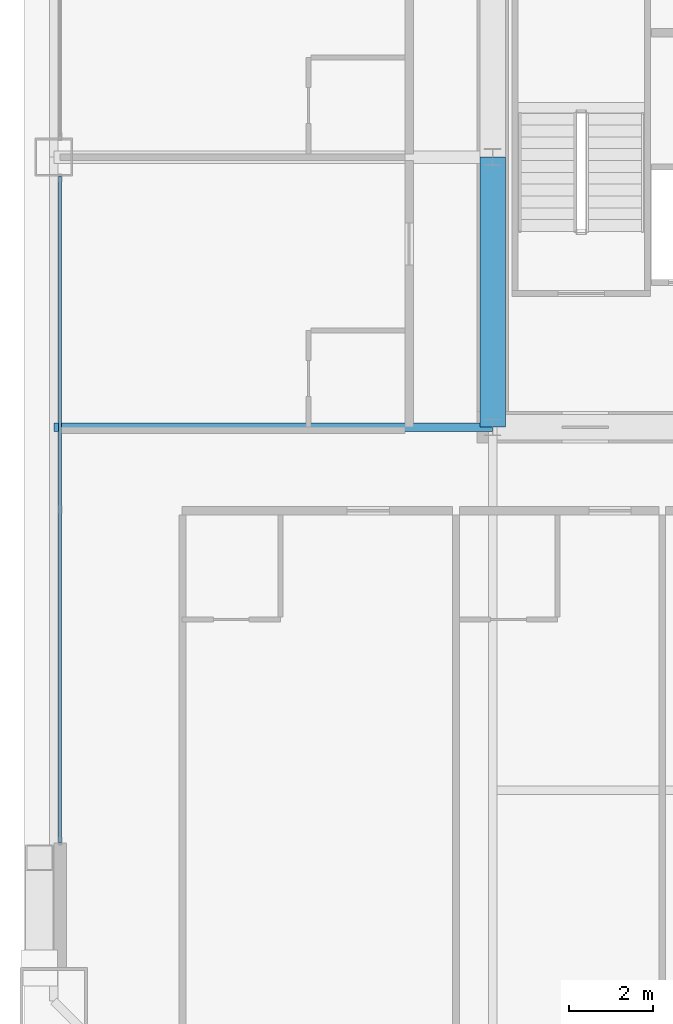
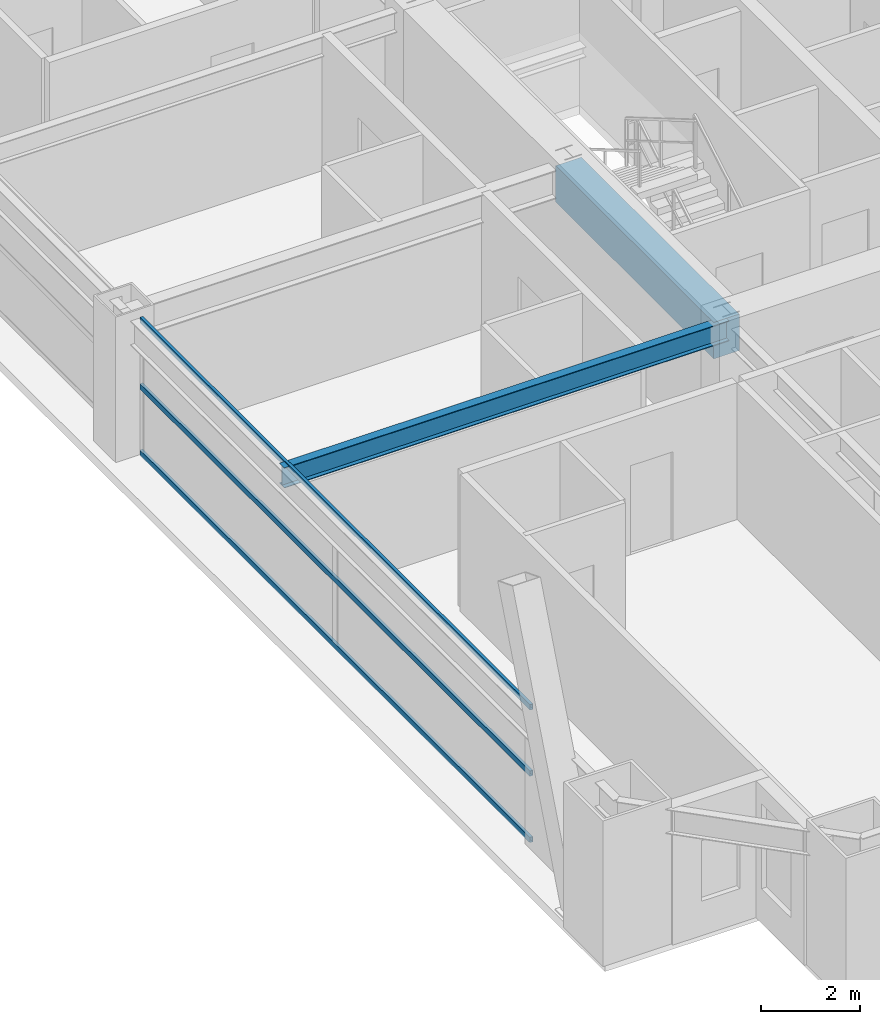
# One storey, part 11 of 43: 3 members, 2 beams, 1 element without a shape of its own.
"""IFC4 building model written with IfcOpenShell, lengths in metres."""

from ifc_helpers import new_model, si_unit, direction, frame, origin, origin_2d, place, context, subcontext, project, spatial, rectangle, hollow_rectangle, i_section, extrude, source, transform, mapped, material, layer, layer_set, material_profile, profile_set, type_object, element, aggregate, save


model = new_model("IFC4")

# Units and contexts
model_context = context("Model", 3, precision=1e-05, world=origin(), true_north=direction((0.0, 1.0)))
body_context = subcontext(model_context, "Body", "Model", "MODEL_VIEW")
ifc_project = project(units=[si_unit("LENGTHUNIT", "METRE"), si_unit("AREAUNIT", "SQUARE_METRE"), si_unit("VOLUMEUNIT", "CUBIC_METRE"), si_unit("PLANEANGLEUNIT", "RADIAN"), si_unit("MASSUNIT", "GRAM", prefix="KILO"), si_unit("THERMODYNAMICTEMPERATUREUNIT", "KELVIN"), si_unit("POWERUNIT", "WATT")], contexts=[model_context])

# Site, building, storey
site_placement = place(None, origin())
site = spatial("IfcSite", under=ifc_project, at=site_placement, CompositionType="ELEMENT")
building_placement = place(site_placement, origin())
building = spatial("IfcBuilding", under=site, at=building_placement, Name="Yuzanri Waterfront Tower", CompositionType="ELEMENT")
storey_placement = place(building_placement, frame((0.0, 0.0, 159.60009765625)))
storey = spatial("IfcBuildingStorey", under=building, at=storey_placement, Name="L42", CompositionType="ELEMENT", Elevation=159.60009765625)

# Beams
ifc_material_1 = material(Name="Concrete C60", Category="concrete")
ifc_material_profile_1 = material_profile(ifc_material_1, rectangle(XDim=0.60009765625, YDim=0.89990234375, at=origin_2d()), Name="RC 600x900")
ifc_profile_set_1 = profile_set([ifc_material_profile_1], Name="Concrete C60")
beam_type_1 = type_object("IfcBeamType", Name="Core Coupling Lintel Concrete C60 600x900", PredefinedType="LINTEL", material=ifc_profile_set_1)
shared_shape_1 = source(origin(), body_context, "Body", "SweptSolid", [
    extrude(rectangle(XDim=0.60009765625, YDim=0.89990234375, at=origin_2d()), origin(), (0.0, 0.0, 1.0), 6.400146484375),
])
beam_1_placement = place(storey_placement, frame((23.800048828125, 19.39990234375, 2.929931640625), z_axis=(0.0, 1.0, 0.0), x_axis=(-1.0, 0.0, 0.0)))
element("IfcBeam", 1, at=beam_1_placement, inside=storey, type_object=beam_type_1, Name="L42 Core Tie Beam CW1", PredefinedType="LINTEL", context=body_context, shape_type="MappedRepresentation", body=[
    mapped(shared_shape_1, transform((0.0, 0.0, 0.0), scale=1.0)),
])
ifc_material_2 = material(Name="Steel Q355B", Category="steel")
ifc_material_profile_2 = material_profile(ifc_material_2, i_section(OverallWidth=0.199951171875, OverallDepth=0.5, WebThickness=0.010009765625, FlangeThickness=0.01611328125, at=origin_2d()), Name="HN 500x200x10x16")
ifc_profile_set_2 = profile_set([ifc_material_profile_2], Name="Steel Q355B")
beam_type_2 = type_object("IfcBeamType", Name="Secondary Floor Beam Q355B HN 500x200", PredefinedType="BEAM", material=ifc_profile_set_2)
shared_shape_2 = source(origin(), body_context, "Body", "SweptSolid", [
    extrude(i_section(OverallWidth=0.199951171875, OverallDepth=0.5, WebThickness=0.010009765625, FlangeThickness=0.01611328125, at=origin_2d()), origin(), (0.0, 0.0, 1.0), 10.400146484375),
])
beam_2_placement = place(storey_placement, frame((23.800048828125, 19.39990234375, 3.1298828125), z_axis=(-1.0, 0.0, 0.0), x_axis=(0.0, -1.0, 0.0)))
element("IfcBeam", 2, at=beam_2_placement, inside=storey, type_object=beam_type_2, Name="L42 West-South Core Line Beam", PredefinedType="BEAM", context=body_context, shape_type="MappedRepresentation", body=[
    mapped(shared_shape_2, transform((0.0, 0.0, 0.0), scale=1.0)),
])

# Curtain wall, members
ifc_material_3 = material(Name="Anodized Architectural Bronze", Category="metal")
ifc_layer = layer(ifc_material_3, 0.159912109375)
ifc_layer_set = layer_set([ifc_layer], Name="Anodized Architectural Bronze")
curtain_wall_type = type_object("IfcCurtainWallType", Name="Anodized Bronze Hotel Upper-Tier Solar-Control Unitized Curtain Wall 7800", PredefinedType="NOTDEFINED", material=ifc_layer_set)
curtain_wall_placement = place(storey_placement, origin())
curtain_wall = element("IfcCurtainWall", 3, at=curtain_wall_placement, inside=storey, type_object=curtain_wall_type, Name="L42 Curtain Wall CW-L42-WL", PredefinedType="NOTDEFINED")
ifc_material_4 = material(Name="Anodized Architectural Bronze", Category="metal")
ifc_material_profile_3 = material_profile(ifc_material_4, hollow_rectangle(XDim=0.070068359375, YDim=0.135009765625, WallThickness=0.00341796875, at=origin_2d()), Name="CWT 70x135")
ifc_profile_set_3 = profile_set([ifc_material_profile_3], Name="Anodized Architectural Bronze")
member_type = type_object("IfcMemberType", Name="Anodized Bronze Standard Curtain-Wall Transom 70x135", PredefinedType="USERDEFINED", material=ifc_profile_set_3)
shared_shape_3 = source(origin(), body_context, "Body", "SweptSolid", [
    extrude(hollow_rectangle(XDim=0.070068359375, YDim=0.135009765625, WallThickness=0.00341796875, at=origin_2d()), origin(), (0.0, 0.0, 1.0), 15.800048828125),
])
member_1_placement = place(storey_placement, frame((13.550048828125, 9.550048828125, 0.0498046875), z_axis=(0.0, 1.0, 0.0), x_axis=(-1.0, 0.0, 0.0)))
member_1 = element("IfcMember", 4, at=member_1_placement, type_object=member_type, Name="CW-L42-WL Transom 1", ObjectType="TRANSOM", PredefinedType="USERDEFINED", context=body_context, shape_type="MappedRepresentation", body=[
    mapped(shared_shape_3, transform((0.0, 0.0, 0.0), scale=1.0)),
])
member_2_placement = place(storey_placement, frame((13.550048828125, 9.550048828125, 1.68994140625), z_axis=(0.0, 1.0, 0.0), x_axis=(-1.0, 0.0, 0.0)))
member_2 = element("IfcMember", 5, at=member_2_placement, type_object=member_type, Name="CW-L42-WL Transom 2", ObjectType="TRANSOM", PredefinedType="USERDEFINED", context=body_context, shape_type="MappedRepresentation", body=[
    mapped(shared_shape_3, transform((0.0, 0.0, 0.0), scale=1.0)),
])
member_3_placement = place(storey_placement, frame((13.550048828125, 9.550048828125, 3.329833984375), z_axis=(0.0, 1.0, 0.0), x_axis=(-1.0, 0.0, 0.0)))
member_3 = element("IfcMember", 6, at=member_3_placement, type_object=member_type, Name="CW-L42-WL Transom 3", ObjectType="TRANSOM", PredefinedType="USERDEFINED", context=body_context, shape_type="MappedRepresentation", body=[
    mapped(shared_shape_3, transform((0.0, 0.0, 0.0), scale=1.0)),
])
aggregate(curtain_wall, [member_1, member_2, member_3])

save(model, "model.ifc")
